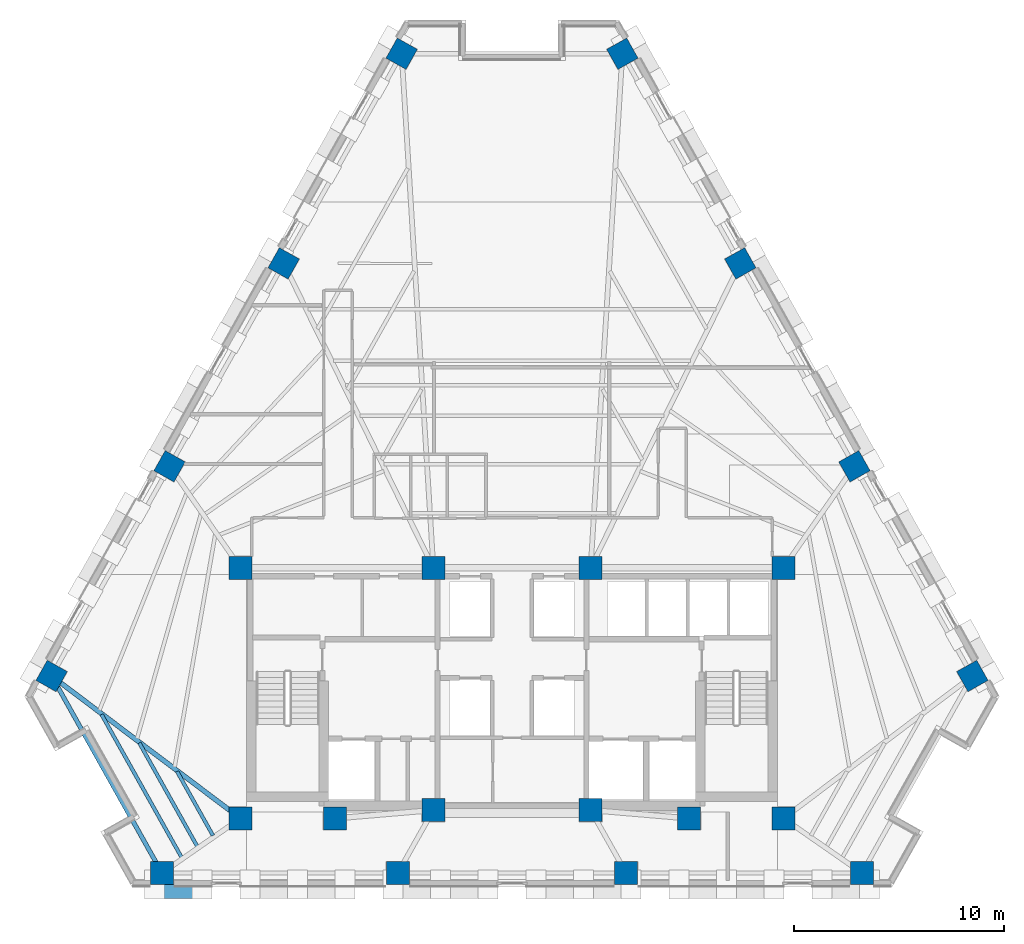
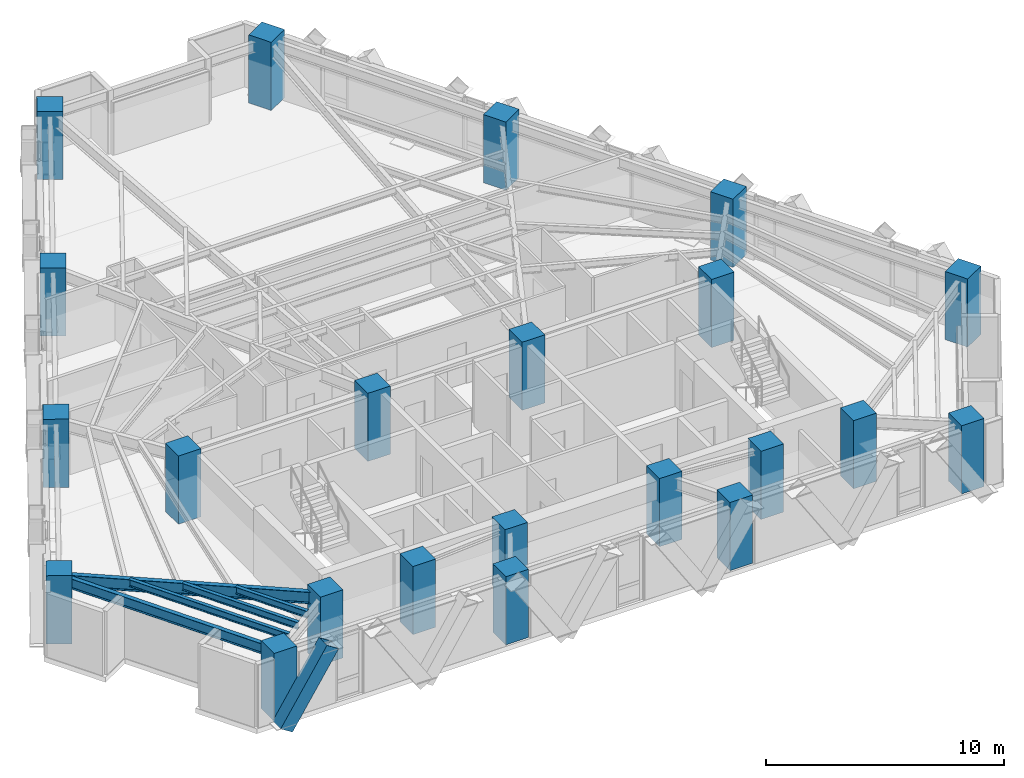
# One storey, part 1 of 13: 22 columns, 5 beams, 1 member.
"""IFC4 building model written with IfcOpenShell, lengths in metres."""

from ifc_helpers import new_model, si_unit, direction, frame, origin, origin_2d, place, context, subcontext, project, spatial, rectangle, hollow_rectangle, i_section, extrude, material, material_profile, profile_set, type_object, element, save


model = new_model("IFC4")

# Units and contexts
model_context = context("Model", 3, precision=1e-05, world=origin(), true_north=direction((0.0, 1.0)))
body_context = subcontext(model_context, "Body", "Model", "MODEL_VIEW")
ifc_project = project(units=[si_unit("LENGTHUNIT", "METRE"), si_unit("AREAUNIT", "SQUARE_METRE"), si_unit("VOLUMEUNIT", "CUBIC_METRE"), si_unit("PLANEANGLEUNIT", "RADIAN"), si_unit("MASSUNIT", "GRAM", prefix="KILO")], contexts=[model_context])

# Site, building, storey
site_placement = place(None, origin())
site = spatial("IfcSite", under=ifc_project, at=site_placement, CompositionType="ELEMENT")
building_placement = place(site_placement, origin())
building = spatial("IfcBuilding", under=site, at=building_placement, Name="Quenlor Broadcast Tower", CompositionType="ELEMENT")
storey_placement = place(building_placement, frame((0.0, 0.0, 119.5)))
storey = spatial("IfcBuildingStorey", under=building, at=storey_placement, Name="L32", CompositionType="ELEMENT", Elevation=119.5)

# Columns
ifc_material_1 = material(Name="Concrete C65/80", Category="concrete")
ifc_material_profile_1 = material_profile(ifc_material_1, rectangle(XDim=1.10009765625, YDim=1.10009765625, at=origin_2d()))
ifc_profile_set_1 = profile_set([ifc_material_profile_1], Name="Concrete C65/80 RC1100x1100")
column_type_1 = type_object("IfcColumnType", Name="Core Corner Column Mid Concrete C65/80 1100", PredefinedType="COLUMN", material=ifc_profile_set_1)
for number, where, z_axis, x_axis, name in (
    (1, (-12.949951171875, -16.75, 0.0), (0.0, 0.0, 1.0), (1.0, 0.0, 0.0), "L32 Core Column CC1"),
    (2, (-8.449951171875, -16.75, 0.0), (0.0, 0.0, 1.0), (1.0, 0.0, 0.0), "L32 Core Column CC2"),
    (3, (-3.75, -16.35009765625, 0.0), (0.0, 0.0, 1.0), (1.0, 0.0, 0.0), "L32 Core Column CC3"),
    (4, (3.75, -16.35009765625, 0.0), (0.0, 0.0, 1.0), (1.0, 0.0, 0.0), "L32 Core Column CC4"),
    (5, (8.449951171875, -16.75, 0.0), (0.0, 0.0, 1.0), (1.0, 0.0, 0.0), "L32 Core Column CC5"),
    (6, (12.949951171875, -16.75, 0.0), (0.0, 0.0, 1.0), (1.0, 0.0, 0.0), "L32 Core Column CC6"),
    (7, (-12.949951171875, -4.800048828125, 0.0), (0.0, 0.0, 1.0), (1.0, 0.0, 0.0), "L32 Core Column CC7"),
    (8, (-3.75, -4.800048828125, 0.0), (0.0, 0.0, 1.0), (1.0, 0.0, 0.0), "L32 Core Column CC8"),
    (9, (3.75, -4.800048828125, 0.0), (0.0, 0.0, 1.0), (1.0, 0.0, 0.0), "L32 Core Column CC9"),
    (10, (12.949951171875, -4.800048828125, 0.0), (0.0, 0.0, 1.0), (1.0, 0.0, 0.0), "L32 Core Column CC10"),
):
    element("IfcColumn", number, at=place(storey_placement, frame(where, z_axis=z_axis, x_axis=x_axis)), inside=storey, type_object=column_type_1, Name=name, PredefinedType="COLUMN", context=body_context, shape_type="SweptSolid", body=[
        extrude(rectangle(XDim=1.10009765625, YDim=1.10009765625, at=origin_2d()), origin(), (0.0, 0.0, 1.0), 3.5),
    ])
ifc_material_2 = material(Name="Concrete C65/80", Category="concrete")
ifc_material_profile_2 = material_profile(ifc_material_2, rectangle(XDim=1.10009765625, YDim=1.10009765625, at=origin_2d()))
ifc_profile_set_2 = profile_set([ifc_material_profile_2], Name="Concrete C65/80 RC1100x1100")
column_type_2 = type_object("IfcColumnType", Name="Tower Perimeter Column Z2 Concrete C65/80 1100", PredefinedType="COLUMN", material=ifc_profile_set_2)
for number, where, z_axis, x_axis, name in (
    (11, (-16.6923828125, -19.35009765625, 0.0), (0.0, 0.0, 1.0), (0.0, 1.0, 0.0), "L32 Perimeter Column S1"),
    (12, (-5.443115234375, -19.35009765625, 0.0), (0.0, 0.0, 1.0), (0.0, 1.0, 0.0), "L32 Perimeter Column S2"),
    (13, (5.443115234375, -19.35009765625, 0.0), (0.0, 0.0, 1.0), (0.0, 1.0, 0.0), "L32 Perimeter Column S3"),
    (14, (16.6923828125, -19.35009765625, 0.0), (0.0, 0.0, 1.0), (0.0, 1.0, 0.0), "L32 Perimeter Column S4"),
    (15, (21.95458984375, -9.95654296875, 0.0), (0.0, 0.0, 1.0), (0.871575139605, 0.490261946333, 0.0), "L32 Perimeter Column NE1"),
    (16, (16.330078125, 0.04296875, 0.0), (0.0, 0.0, 1.0), (0.871575139605, 0.490261946333, 0.0), "L32 Perimeter Column NE2"),
    (17, (10.886962890625, 9.7197265625, 0.0), (0.0, 0.0, 1.0), (0.871575139605, 0.490261946333, 0.0), "L32 Perimeter Column NE3"),
    (18, (5.26220703125, 19.718994140625, 0.0), (0.0, 0.0, 1.0), (0.871575139605, 0.490261946333, 0.0), "L32 Perimeter Column NE4"),
    (19, (-5.26220703125, 19.718994140625, 0.0), (0.0, 0.0, 1.0), (-0.871575139605, 0.490261946333, 0.0), "L32 Perimeter Column NW1"),
    (20, (-10.886962890625, 9.7197265625, 0.0), (0.0, 0.0, 1.0), (-0.871575139605, 0.490261946333, 0.0), "L32 Perimeter Column NW2"),
    (21, (-16.330078125, 0.04296875, 0.0), (0.0, 0.0, 1.0), (-0.871575139605, 0.490261946333, 0.0), "L32 Perimeter Column NW3"),
    (22, (-21.95458984375, -9.95654296875, 0.0), (0.0, 0.0, 1.0), (-0.871575139605, 0.490261946333, 0.0), "L32 Perimeter Column NW4"),
):
    element("IfcColumn", number, at=place(storey_placement, frame(where, z_axis=z_axis, x_axis=x_axis)), inside=storey, type_object=column_type_2, Name=name, PredefinedType="COLUMN", context=body_context, shape_type="SweptSolid", body=[
        extrude(rectangle(XDim=1.10009765625, YDim=1.10009765625, at=origin_2d()), origin(), (0.0, 0.0, 1.0), 3.5),
    ])

# Member
ifc_material_3 = material(Name="Steel S355", Category="steel")
ifc_material_profile_3 = material_profile(ifc_material_3, hollow_rectangle(XDim=0.679931640625, YDim=0.679931640625, WallThickness=0.030029296875, at=origin_2d()))
ifc_profile_set_3 = profile_set([ifc_material_profile_3], Name="Steel S355 RHS680x680x30")
member_type = type_object("IfcMemberType", Name="Perimeter Diagonal Lattice Brace Z2 Steel S355 RHS680x30", PredefinedType="BRACE", material=ifc_profile_set_3)
member_placement = place(storey_placement, frame((-17.030517578125, -20.235107421875, -0.1201171875), z_axis=(0.539968035679, 0.0, 0.841685523485), x_axis=(0.0, 1.0, 0.0)))
element("IfcMember", 23, at=member_placement, inside=storey, type_object=member_type, Name="L32 Perimeter Diamond Lattice S-C5B", PredefinedType="BRACE", context=body_context, shape_type="SweptSolid", body=[
    extrude(hollow_rectangle(XDim=0.679931640625, YDim=0.679931640625, WallThickness=0.030029296875, at=origin_2d()), origin(), (0.0, 0.0, 1.0), 4.158203125),
])

# Beams
ifc_material_4 = material(Name="Steel S355", Category="steel")
ifc_material_profile_4 = material_profile(ifc_material_4, i_section(OverallWidth=0.208984375, OverallDepth=0.5283203125, WebThickness=0.009521484375, FlangeThickness=0.01318359375, FilletRadius=0.013916015625, at=origin_2d()))
ifc_profile_set_4 = profile_set([ifc_material_profile_4], Name="Steel S355 530UB82.0")
beam_type_1 = type_object("IfcBeamType", Name="Perimeter Spandrel Beam Z2 Steel S355 530UB82.0", PredefinedType="SPANDREL", material=ifc_profile_set_4)
beam_1_placement = place(storey_placement, frame((-21.75439453125, -10.314208984375, 2.98583984375), z_axis=(0.488749102779, -0.872424389006, 0.0), x_axis=(0.872424389006, 0.488749102779, 0.0)))
element("IfcBeam", 24, at=beam_1_placement, inside=storey, type_object=beam_type_1, Name="L32 Spandrel Beam NW4-S1", PredefinedType="SPANDREL", context=body_context, shape_type="SweptSolid", body=[
    extrude(i_section(OverallWidth=0.208984375, OverallDepth=0.5283203125, WebThickness=0.009521484375, FlangeThickness=0.01318359375, FilletRadius=0.013916015625, at=origin_2d()), origin(), (0.0, 0.0, 1.0), 9.947021484375),
])
ifc_material_5 = material(Name="Steel S355", Category="steel")
ifc_material_profile_5 = material_profile(ifc_material_5, i_section(OverallWidth=0.172119140625, OverallDepth=0.358642578125, WebThickness=0.008056640625, FlangeThickness=0.012939453125, FilletRadius=0.011474609375, at=origin_2d()))
ifc_profile_set_5 = profile_set([ifc_material_profile_5], Name="Steel S355 360UB56.7")
beam_type_2 = type_object("IfcBeamType", Name="Tower Composite Joist Z2-Z3 Steel S355 360UB56.7", PredefinedType="JOIST", material=ifc_profile_set_5)
beam_2_placement = place(storey_placement, frame((-14.261474609375, -17.564208984375, 3.07080078125), z_axis=(-0.488730779643, 0.87243465373, 0.0), x_axis=(-0.87243465373, -0.488730779643, 0.0)))
element("IfcBeam", 25, at=beam_2_placement, inside=storey, type_object=beam_type_2, Name="L32 Secondary Composite Joist 19", PredefinedType="JOIST", context=body_context, shape_type="SweptSolid", body=[
    extrude(i_section(OverallWidth=0.172119140625, OverallDepth=0.358642578125, WebThickness=0.008056640625, FlangeThickness=0.012939453125, FilletRadius=0.011474609375, at=origin_2d()), origin(), (0.0, 0.0, 1.0), 3.500732421875),
])
beam_3_placement = place(storey_placement, frame((-15.010009765625, -18.084228515625, 3.07080078125), z_axis=(-0.488741419435, 0.87242869332, 0.0), x_axis=(-0.87242869332, -0.488741419435, 0.0)))
element("IfcBeam", 26, at=beam_3_placement, inside=storey, type_object=beam_type_2, Name="L32 Secondary Composite Joist 20", PredefinedType="JOIST", context=body_context, shape_type="SweptSolid", body=[
    extrude(i_section(OverallWidth=0.172119140625, OverallDepth=0.358642578125, WebThickness=0.008056640625, FlangeThickness=0.012939453125, FilletRadius=0.011474609375, at=origin_2d()), origin(), (0.0, 0.0, 1.0), 5.654052734375),
])
beam_4_placement = place(storey_placement, frame((-15.758544921875, -18.604248046875, 3.07080078125), z_axis=(-0.488732857155, 0.872433489922, 0.0), x_axis=(-0.872433489922, -0.488732857155, 0.0)))
element("IfcBeam", 27, at=beam_4_placement, inside=storey, type_object=beam_type_2, Name="L32 Secondary Composite Joist 21", PredefinedType="JOIST", context=body_context, shape_type="SweptSolid", body=[
    extrude(i_section(OverallWidth=0.172119140625, OverallDepth=0.358642578125, WebThickness=0.008056640625, FlangeThickness=0.012939453125, FilletRadius=0.011474609375, at=origin_2d()), origin(), (0.0, 0.0, 1.0), 7.807861328125),
])
ifc_material_6 = material(Name="Steel S355", Category="steel")
ifc_material_profile_6 = material_profile(ifc_material_6, i_section(OverallWidth=0.22802734375, OverallDepth=0.60205078125, WebThickness=0.010498046875, FlangeThickness=0.014892578125, FilletRadius=0.013916015625, at=origin_2d()))
ifc_profile_set_6 = profile_set([ifc_material_profile_6], Name="Steel S355 610UB101")
beam_type_3 = type_object("IfcBeamType", Name="Tower Primary Floor Beam Z2 Steel S355 610UB101", PredefinedType="BEAM", material=ifc_profile_set_6)
beam_5_placement = place(storey_placement, frame((-21.62744140625, -10.203369140625, 2.948974609375), z_axis=(0.798298724007, -0.602261693327, 0.0), x_axis=(0.602261693327, 0.798298724007, 0.0)))
element("IfcBeam", 28, at=beam_5_placement, inside=storey, type_object=beam_type_3, Name="L32 Primary Radial Beam NW4", PredefinedType="BEAM", context=body_context, shape_type="SweptSolid", body=[
    extrude(i_section(OverallWidth=0.22802734375, OverallDepth=0.60205078125, WebThickness=0.010498046875, FlangeThickness=0.014892578125, FilletRadius=0.013916015625, at=origin_2d()), origin(), (0.0, 0.0, 1.0), 10.48974609375),
])

save(model, "model.ifc")
